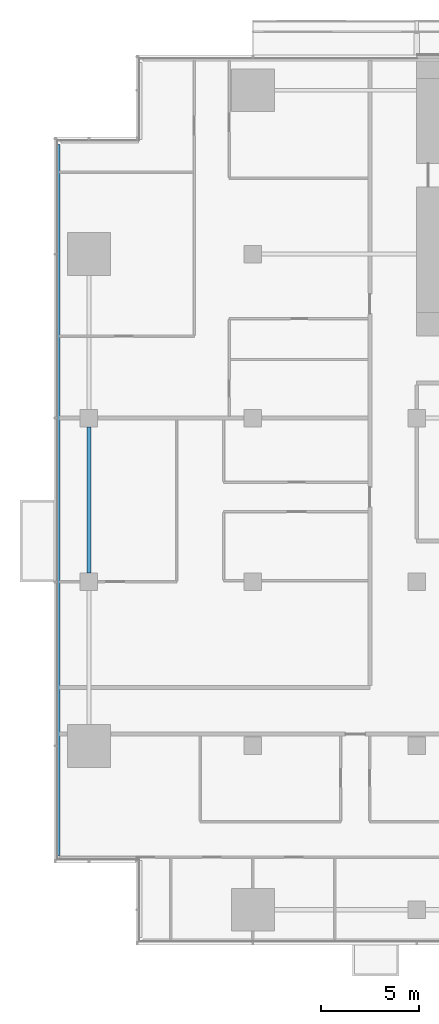
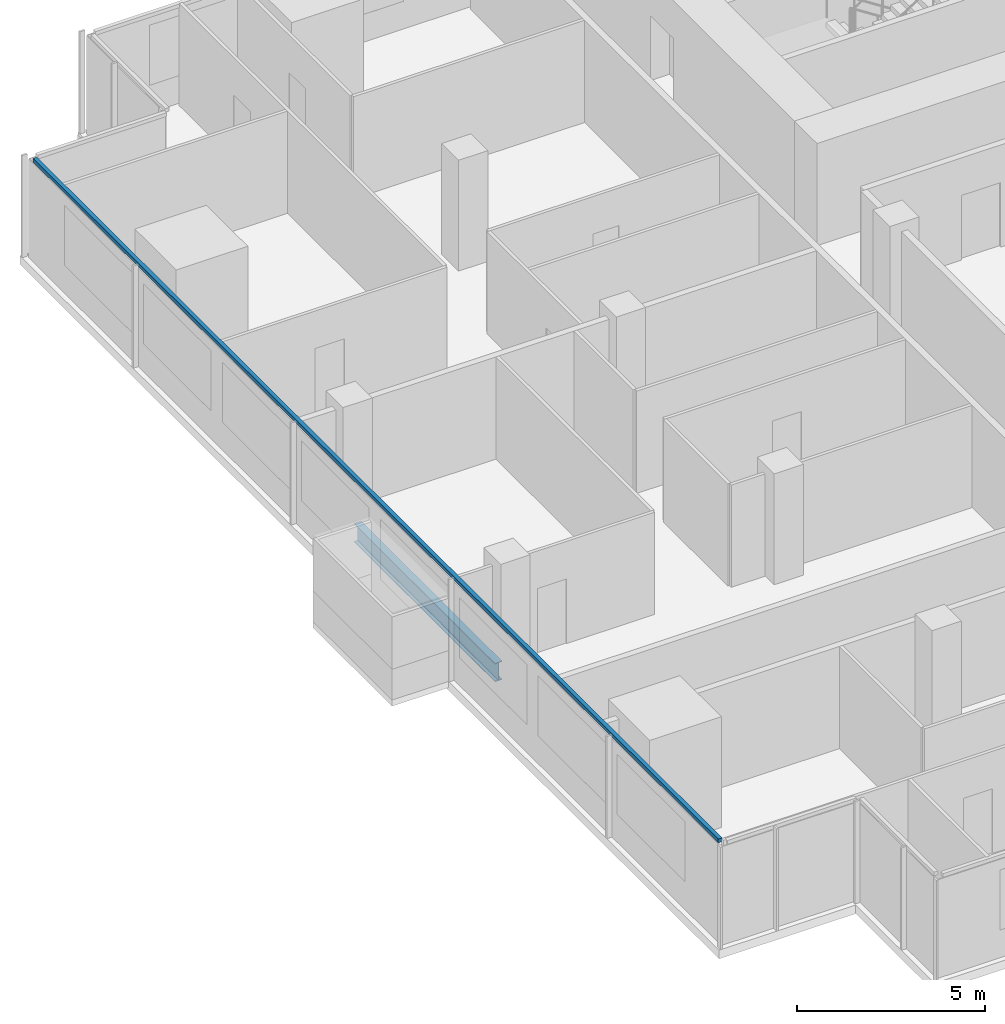
# One storey, part 3 of 27: 1 beam, 1 member, 1 element without a shape of its own.
"""IFC4 building model written with IfcOpenShell, lengths in metres."""

from ifc_helpers import new_model, si_unit, direction, frame, origin, origin_2d, place, context, subcontext, project, spatial, rectangle, i_section, extrude, material, material_profile, profile_set, type_object, element, aggregate, save


model = new_model("IFC4")

# Units and contexts
model_context = context("Model", 3, precision=1e-05, world=origin(), true_north=direction((0.0, 1.0)))
body_context = subcontext(model_context, "Body", "Model", "MODEL_VIEW")
ifc_project = project(units=[si_unit("LENGTHUNIT", "METRE"), si_unit("AREAUNIT", "SQUARE_METRE"), si_unit("VOLUMEUNIT", "CUBIC_METRE"), si_unit("PLANEANGLEUNIT", "RADIAN"), si_unit("MASSUNIT", "GRAM", prefix="KILO")], contexts=[model_context])

# Site, building, storey
site_placement = place(None, origin())
site = spatial("IfcSite", under=ifc_project, at=site_placement, CompositionType="ELEMENT")
building_placement = place(site_placement, origin())
building = spatial("IfcBuilding", under=site, at=building_placement, Name="Saffron Gate Tower", CompositionType="ELEMENT")
storey_placement = place(building_placement, frame((0.0, 0.0, 66.0)))
storey = spatial("IfcBuildingStorey", under=building, at=storey_placement, Name="L15", CompositionType="ELEMENT", Elevation=66.0)

# Beam
ifc_material_1 = material(Name="Structural steel S355", Category="steel")
ifc_material_profile_1 = material_profile(ifc_material_1, i_section(OverallWidth=0.219970703125, OverallDepth=0.60009765625, WebThickness=0.011962890625, FlangeThickness=0.01904296875, FilletRadius=0.02392578125, at=origin_2d()))
ifc_profile_set_1 = profile_set([ifc_material_profile_1], Name="Structural steel S355")
beam_type = type_object("IfcBeamType", Name="B16 IPE 600", PredefinedType="SPANDREL", material=ifc_profile_set_1)
beam_placement = place(storey_placement, frame((49.800048828125, 49.050048828125, -0.580078125), z_axis=(0.0, 1.0, 0.0), x_axis=(-1.0, 0.0, 0.0)))
element("IfcBeam", 1, at=beam_placement, inside=storey, type_object=beam_type, Name="B16 SPANDREL BEAM", PredefinedType="SPANDREL", context=body_context, shape_type="SweptSolid", body=[
    extrude(i_section(OverallWidth=0.219970703125, OverallDepth=0.60009765625, WebThickness=0.011962890625, FlangeThickness=0.01904296875, FilletRadius=0.02392578125, at=origin_2d()), origin(), (0.0, 0.0, 1.0), 7.5),
])

# Curtain wall, member
ifc_material_2 = material(Name="Aluminium, bronze anodised", Category="aluminium")
curtain_wall_type = type_object("IfcCurtainWallType", Name="CWS2 curtain wall side facades", PredefinedType="NOTDEFINED", material=ifc_material_2)
curtain_wall_placement = place(storey_placement, origin())
curtain_wall = element("IfcCurtainWall", 2, at=curtain_wall_placement, inside=storey, type_object=curtain_wall_type, Name="CWS2 run 10", PredefinedType="NOTDEFINED")
ifc_material_profile_2 = material_profile(ifc_material_2, rectangle(XDim=0.1201171875, YDim=0.1201171875, at=origin_2d()))
ifc_profile_set_2 = profile_set([ifc_material_profile_2], Name="Aluminium, bronze anodised")
member_type = type_object("IfcMemberType", Name="CWS2 head transom", PredefinedType="USERDEFINED", material=ifc_profile_set_2)
member_placement = place(storey_placement, frame((48.248046875, 71.031982421875, 3.260009765625), z_axis=(0.0, -1.0, 0.0), x_axis=(1.0, 0.0, 0.0)))
member = element("IfcMember", 3, at=member_placement, type_object=member_type, Name="CWS2 head transom", ObjectType="TRANSOM", PredefinedType="USERDEFINED", context=body_context, shape_type="SweptSolid", body=[
    extrude(rectangle(XDim=0.1201171875, YDim=0.1201171875, at=origin_2d()), origin(), (0.0, 0.0, 1.0), 36.4638671875),
])
aggregate(curtain_wall, [member])

save(model, "model.ifc")
